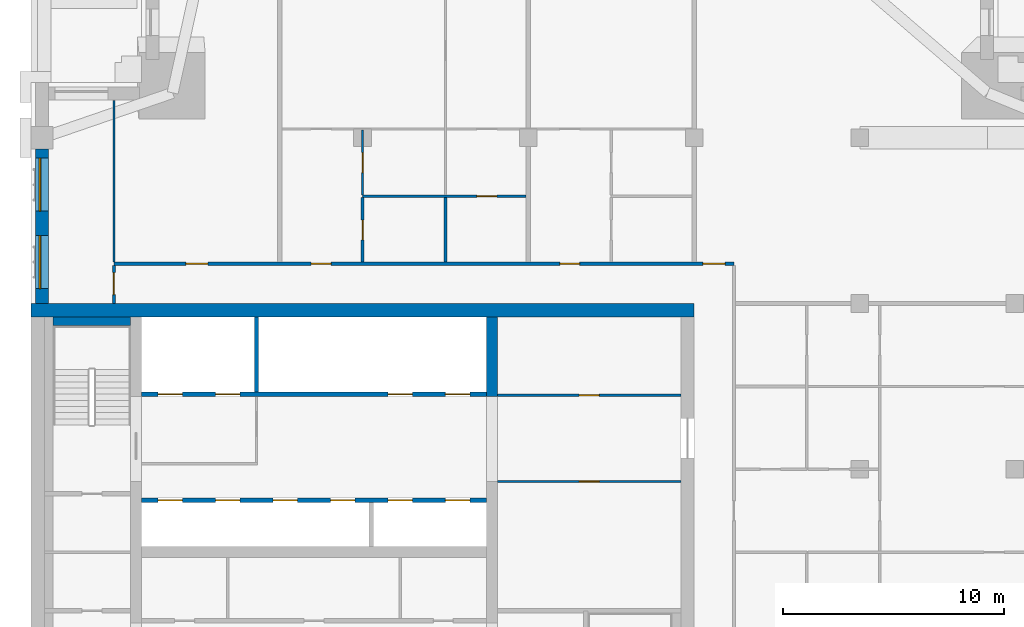
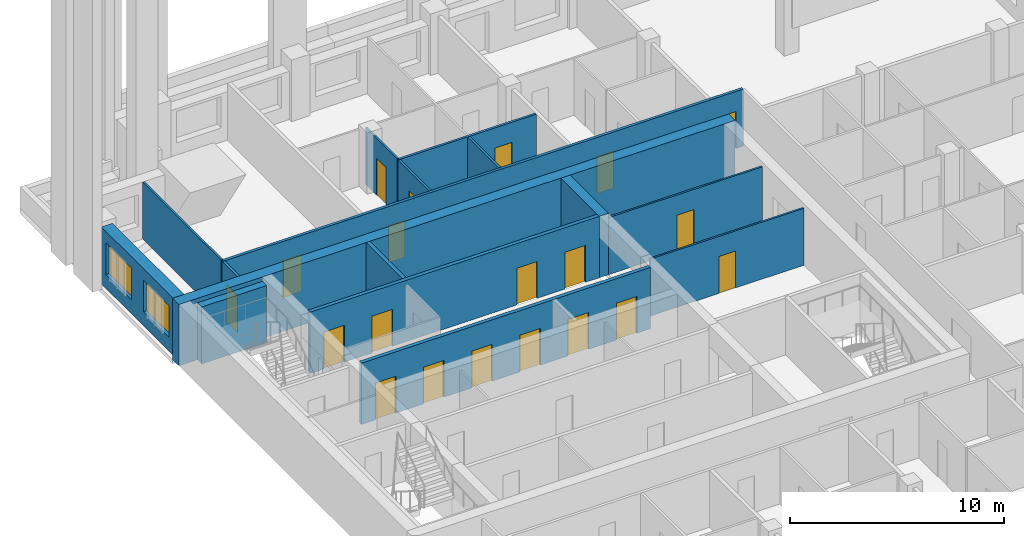
# One storey, part 6 of 12: 20 doors, 16 walls, 2 windows, 22 openings.
"""IFC4 building model written with IfcOpenShell, lengths in metres."""

from ifc_helpers import new_model, si_unit, direction, frame, frame_2d, origin, place, context, subcontext, project, spatial, rectangle, extrude, material, layer, layer_set, type_object, element, fill, save


model = new_model("IFC4")

# Units and contexts
model_context = context("Model", 3, precision=1e-05, world=origin(), true_north=direction((0.0, 1.0)))
body_context = subcontext(model_context, "Body", "Model", "MODEL_VIEW")
ifc_project = project(units=[si_unit("LENGTHUNIT", "METRE"), si_unit("AREAUNIT", "SQUARE_METRE"), si_unit("VOLUMEUNIT", "CUBIC_METRE"), si_unit("PLANEANGLEUNIT", "RADIAN"), si_unit("MASSUNIT", "GRAM", prefix="KILO")], contexts=[model_context])

# Site, building, storey
site_placement = place(None, origin())
site = spatial("IfcSite", under=ifc_project, at=site_placement, CompositionType="ELEMENT")
building_placement = place(site_placement, origin())
building = spatial("IfcBuilding", under=site, at=building_placement, Name="Tamorin Gate", CompositionType="ELEMENT")
storey_placement = place(building_placement, frame((0.0, 0.0, 219.699951171875)))
storey = spatial("IfcBuildingStorey", under=building, at=storey_placement, Name="L54", CompositionType="ELEMENT", Elevation=219.699951171875)

# Wall, openings, windows
ifc_material_1 = material(Name="Precast concrete C40/50", Category="concrete")
ifc_layer_1 = layer(ifc_material_1, 0.60009765625)
ifc_layer_set_1 = layer_set([ifc_layer_1], Name="Precast concrete C40/50")
wall_type_1 = type_object("IfcWallType", Name="Board-marked concrete facade panel 600", PredefinedType="SOLIDWALL", material=ifc_layer_set_1)
wall_1_placement = place(storey_placement, frame((30.5, 89.5, 0.0), z_axis=(0.0, 0.0, 1.0), x_axis=(0.0, -1.0, 0.0)))
wall_1 = element("IfcWall", 1, at=wall_1_placement, inside=storey, type_object=wall_type_1, Name="Facade panel", PredefinedType="SOLIDWALL", context=body_context, shape_type="SweptSolid", body=[
    extrude(rectangle(XDim=7.0, YDim=0.60009765625, at=frame_2d((3.5, 0.0))), origin(), (0.0, 0.0, 1.0), 3.25),
])
opening_1_placement = place(wall_1_placement, frame((3.925048828125, 0.0, 0.800048828125)))
opening_1 = element("IfcOpeningElement", 2, at=opening_1_placement, cuts=wall_1, Name="Opening WN1", PredefinedType="OPENING", context=body_context, shape_type="SweptSolid", body=[
    extrude(rectangle(XDim=2.39990234375, YDim=1.800048828125, at=frame_2d((1.199951171875, 0.89990234375))), frame((0.0, 0.31005859375, 0.0), z_axis=(0.0, -1.0, 0.0), x_axis=(1.0, 0.0, 0.0)), (0.0, 0.0, 1.0), 0.6201171875),
])
opening_2_placement = place(wall_1_placement, frame((0.425048828125, 0.0, 0.800048828125)))
opening_2 = element("IfcOpeningElement", 3, at=opening_2_placement, cuts=wall_1, Name="Opening WN1", PredefinedType="OPENING", context=body_context, shape_type="SweptSolid", body=[
    extrude(rectangle(XDim=2.39990234375, YDim=1.800048828125, at=frame_2d((1.199951171875, 0.89990234375))), frame((0.0, 0.31005859375, 0.0), z_axis=(0.0, -1.0, 0.0), x_axis=(1.0, 0.0, 0.0)), (0.0, 0.0, 1.0), 0.6201171875),
])
ifc_material_2 = material(Name="Clear glass in aluminium frame", Category="aluminium")
window_type = type_object("IfcWindowType", Name="Deep-set window 2400x1800", PartitioningType="SINGLE_PANEL", PredefinedType="WINDOW", material=ifc_material_2)
window_1_placement = place(opening_1_placement, origin())
window_1 = element("IfcWindow", 4, at=window_1_placement, inside=storey, type_object=window_type, Name="Deep-set window", OverallHeight=1.800048828125, OverallWidth=2.39990234375, PartitioningType="SINGLE_PANEL", PredefinedType="WINDOW", context=body_context, shape_type="SweptSolid", body=[
    extrude(rectangle(XDim=2.39990234375, YDim=1.800048828125, at=frame_2d((1.199951171875, 0.89990234375))), frame((0.0, -0.070068359375, 0.0), z_axis=(0.0, -1.0, 0.0), x_axis=(1.0, 0.0, 0.0)), (0.0, 0.0, 1.0), 0.06005859375),
])
fill(opening_1, window_1)
window_2_placement = place(opening_2_placement, origin())
window_2 = element("IfcWindow", 5, at=window_2_placement, inside=storey, type_object=window_type, Name="Deep-set window", OverallHeight=1.800048828125, OverallWidth=2.39990234375, PartitioningType="SINGLE_PANEL", PredefinedType="WINDOW", context=body_context, shape_type="SweptSolid", body=[
    extrude(rectangle(XDim=2.39990234375, YDim=1.800048828125, at=frame_2d((1.199951171875, 0.89990234375))), frame((0.0, -0.070068359375, 0.0), z_axis=(0.0, -1.0, 0.0), x_axis=(1.0, 0.0, 0.0)), (0.0, 0.0, 1.0), 0.06005859375),
])
fill(opening_2, window_2)

# Wall, openings, doors
ifc_material_3 = material(Name="Gypsum board partition")
ifc_layer_2 = layer(ifc_material_3, 0.14990234375)
ifc_layer_set_2 = layer_set([ifc_layer_2], Name="Corridor wall 150")
wall_type_2 = type_object("IfcWallType", Name="Corridor wall 150", PredefinedType="PARTITIONING", material=ifc_layer_set_2)
wall_2_placement = place(storey_placement, frame((33.75, 84.300048828125, 0.0), z_axis=(0.0, 0.0, 1.0), x_axis=(1.0, 0.0, 0.0)))
wall_2 = element("IfcWall", 6, at=wall_2_placement, inside=storey, type_object=wall_type_2, Name="Corridor wall 150", PredefinedType="PARTITIONING", context=body_context, shape_type="SweptSolid", body=[
    extrude(rectangle(XDim=28.050048828125, YDim=0.14990234375, at=frame_2d((14.02490234375, 0.0))), origin(), (0.0, 0.0, 1.0), 3.25),
])
opening_3_placement = place(wall_2_placement, frame((3.25, 0.0, 0.0)))
opening_3 = element("IfcOpeningElement", 7, at=opening_3_placement, cuts=wall_2, Name="Opening DTF5020", PredefinedType="OPENING", context=body_context, shape_type="SweptSolid", body=[
    extrude(rectangle(XDim=1.0, YDim=2.10009765625, at=frame_2d((0.5, 1.050048828125))), frame((0.0, 0.0849609375, 0.0), z_axis=(0.0, -1.0, 0.0), x_axis=(1.0, 0.0, 0.0)), (0.0, 0.0, 1.0), 0.169921875),
])
opening_4_placement = place(wall_2_placement, frame((8.925048828125, 0.0, 0.0)))
opening_4 = element("IfcOpeningElement", 8, at=opening_4_placement, cuts=wall_2, Name="Opening DTF5021", PredefinedType="OPENING", context=body_context, shape_type="SweptSolid", body=[
    extrude(rectangle(XDim=0.89990234375, YDim=2.10009765625, at=frame_2d((0.449951171875, 1.050048828125))), frame((0.0, 0.0849609375, 0.0), z_axis=(0.0, -1.0, 0.0), x_axis=(1.0, 0.0, 0.0)), (0.0, 0.0, 1.0), 0.169921875),
])
opening_5_placement = place(wall_2_placement, frame((20.175048828125, 0.0, 0.0)))
opening_5 = element("IfcOpeningElement", 9, at=opening_5_placement, cuts=wall_2, Name="Opening DTF5028", PredefinedType="OPENING", context=body_context, shape_type="SweptSolid", body=[
    extrude(rectangle(XDim=0.89990234375, YDim=2.10009765625, at=frame_2d((0.449951171875, 1.050048828125))), frame((0.0, 0.0849609375, 0.0), z_axis=(0.0, -1.0, 0.0), x_axis=(1.0, 0.0, 0.0)), (0.0, 0.0, 1.0), 0.169921875),
])
opening_6_placement = place(wall_2_placement, frame((26.64990234375, 0.0, 0.0)))
opening_6 = element("IfcOpeningElement", 10, at=opening_6_placement, cuts=wall_2, Name="Opening DTF5032", PredefinedType="OPENING", context=body_context, shape_type="SweptSolid", body=[
    extrude(rectangle(XDim=1.0, YDim=2.10009765625, at=frame_2d((0.5, 1.050048828125))), frame((0.0, 0.0849609375, 0.0), z_axis=(0.0, -1.0, 0.0), x_axis=(1.0, 0.0, 0.0)), (0.0, 0.0, 1.0), 0.169921875),
])
ifc_material_4 = material(Name="Timber door leaf", Category="wood")
door_type_1 = type_object("IfcDoorType", Name="Door 1000 x 2100 FD30S", OperationType="NOTDEFINED", PredefinedType="DOOR", material=ifc_material_4)
door_1_placement = place(opening_3_placement, origin())
door_1 = element("IfcDoor", 11, at=door_1_placement, inside=storey, type_object=door_type_1, Name="Door DTF5020", OperationType="SINGLE_SWING_LEFT", OverallHeight=2.10009765625, OverallWidth=1.0, PredefinedType="DOOR", context=body_context, shape_type="SweptSolid", body=[
    extrude(rectangle(XDim=1.0, YDim=2.10009765625, at=frame_2d((0.5, 1.050048828125))), frame((0.0, 0.02490234375, 0.0), z_axis=(0.0, -1.0, 0.0), x_axis=(1.0, 0.0, 0.0)), (0.0, 0.0, 1.0), 0.050048828125),
])
fill(opening_3, door_1)
door_2_placement = place(opening_6_placement, origin())
door_2 = element("IfcDoor", 12, at=door_2_placement, inside=storey, type_object=door_type_1, Name="Door DTF5032", OperationType="SINGLE_SWING_LEFT", OverallHeight=2.10009765625, OverallWidth=1.0, PredefinedType="DOOR", context=body_context, shape_type="SweptSolid", body=[
    extrude(rectangle(XDim=1.0, YDim=2.10009765625, at=frame_2d((0.5, 1.050048828125))), frame((0.0, 0.02490234375, 0.0), z_axis=(0.0, -1.0, 0.0), x_axis=(1.0, 0.0, 0.0)), (0.0, 0.0, 1.0), 0.050048828125),
])
fill(opening_6, door_2)
door_type_2 = type_object("IfcDoorType", Name="Door 900 x 2100 FD30S", OperationType="NOTDEFINED", PredefinedType="DOOR", material=ifc_material_4)
door_3_placement = place(opening_4_placement, origin())
door_3 = element("IfcDoor", 13, at=door_3_placement, inside=storey, type_object=door_type_2, Name="Door DTF5021", OperationType="SINGLE_SWING_LEFT", OverallHeight=2.10009765625, OverallWidth=0.89990234375, PredefinedType="DOOR", context=body_context, shape_type="SweptSolid", body=[
    extrude(rectangle(XDim=0.89990234375, YDim=2.10009765625, at=frame_2d((0.449951171875, 1.050048828125))), frame((0.0, 0.02490234375, 0.0), z_axis=(0.0, -1.0, 0.0), x_axis=(1.0, 0.0, 0.0)), (0.0, 0.0, 1.0), 0.050048828125),
])
fill(opening_4, door_3)
door_4_placement = place(opening_5_placement, origin())
door_4 = element("IfcDoor", 14, at=door_4_placement, inside=storey, type_object=door_type_2, Name="Door DTF5028", OperationType="SINGLE_SWING_LEFT", OverallHeight=2.10009765625, OverallWidth=0.89990234375, PredefinedType="DOOR", context=body_context, shape_type="SweptSolid", body=[
    extrude(rectangle(XDim=0.89990234375, YDim=2.10009765625, at=frame_2d((0.449951171875, 1.050048828125))), frame((0.0, 0.02490234375, 0.0), z_axis=(0.0, -1.0, 0.0), x_axis=(1.0, 0.0, 0.0)), (0.0, 0.0, 1.0), 0.050048828125),
])
fill(opening_5, door_4)

# Wall, opening, door
wall_3_placement = place(storey_placement, frame((33.75, 82.5, 0.0), z_axis=(0.0, 0.0, 1.0), x_axis=(0.0, 1.0, 0.0)))
wall_3 = element("IfcWall", 15, at=wall_3_placement, inside=storey, type_object=wall_type_2, Name="Corridor wall 150", PredefinedType="PARTITIONING", context=body_context, shape_type="SweptSolid", body=[
    extrude(rectangle(XDim=1.72509765625, YDim=0.14990234375, at=frame_2d((0.862548828125, 0.0))), origin(), (0.0, 0.0, 1.0), 3.25),
])
opening_7_placement = place(wall_3_placement, frame((0.39990234375, 0.0, 0.0)))
opening_7 = element("IfcOpeningElement", 16, at=opening_7_placement, cuts=wall_3, Name="Opening DTF5019", PredefinedType="OPENING", context=body_context, shape_type="SweptSolid", body=[
    extrude(rectangle(XDim=1.0, YDim=2.10009765625, at=frame_2d((0.5, 1.050048828125))), frame((0.0, 0.0849609375, 0.0), z_axis=(0.0, -1.0, 0.0), x_axis=(1.0, 0.0, 0.0)), (0.0, 0.0, 1.0), 0.169921875),
])
door_5_placement = place(opening_7_placement, origin())
door_5 = element("IfcDoor", 17, at=door_5_placement, inside=storey, type_object=door_type_1, Name="Door DTF5019", OperationType="SINGLE_SWING_LEFT", OverallHeight=2.10009765625, OverallWidth=1.0, PredefinedType="DOOR", context=body_context, shape_type="SweptSolid", body=[
    extrude(rectangle(XDim=1.0, YDim=2.10009765625, at=frame_2d((0.5, 1.050048828125))), frame((0.0, 0.02490234375, 0.0), z_axis=(0.0, -1.0, 0.0), x_axis=(1.0, 0.0, 0.0)), (0.0, 0.0, 1.0), 0.050048828125),
])
fill(opening_7, door_5)

# Wall, openings, doors
ifc_material_5 = material(Name="Concrete C32/40", Category="concrete")
ifc_layer_3 = layer(ifc_material_5, 0.199951171875)
ifc_layer_set_3 = layer_set([ifc_layer_3], Name="Lift lobby face wall 200 EI 120")
wall_type_3 = type_object("IfcWallType", Name="Lift lobby face wall 200 EI 120", PredefinedType="SOLIDWALL", material=ifc_layer_set_3)
wall_4_placement = place(storey_placement, frame((35.0, 73.60009765625, 0.0), z_axis=(0.0, 0.0, 1.0), x_axis=(1.0, 0.0, 0.0)))
wall_4 = element("IfcWall", 18, at=wall_4_placement, inside=storey, type_object=wall_type_3, Name="Lift lobby face wall", PredefinedType="SOLIDWALL", context=body_context, shape_type="SweptSolid", body=[
    extrude(rectangle(XDim=15.60009765625, YDim=0.199951171875, at=frame_2d((7.800048828125, 0.0))), origin(), (0.0, 0.0, 1.0), 3.5),
])
opening_8_placement = place(wall_4_placement, frame((0.75, 0.0, 0.0)))
opening_8 = element("IfcOpeningElement", 19, at=opening_8_placement, cuts=wall_4, Name="Opening LD11", PredefinedType="OPENING", context=body_context, shape_type="SweptSolid", body=[
    extrude(rectangle(XDim=1.10009765625, YDim=2.10009765625, at=frame_2d((0.550048828125, 1.050048828125))), frame((0.0, 0.10986328125, 0.0), z_axis=(0.0, -1.0, 0.0), x_axis=(1.0, 0.0, 0.0)), (0.0, 0.0, 1.0), 0.219970703125),
])
opening_9_placement = place(wall_4_placement, frame((3.35009765625, 0.0, 0.0)))
opening_9 = element("IfcOpeningElement", 20, at=opening_9_placement, cuts=wall_4, Name="Opening LD12", PredefinedType="OPENING", context=body_context, shape_type="SweptSolid", body=[
    extrude(rectangle(XDim=1.10009765625, YDim=2.10009765625, at=frame_2d((0.550048828125, 1.050048828125))), frame((0.0, 0.10986328125, 0.0), z_axis=(0.0, -1.0, 0.0), x_axis=(1.0, 0.0, 0.0)), (0.0, 0.0, 1.0), 0.219970703125),
])
opening_10_placement = place(wall_4_placement, frame((5.949951171875, 0.0, 0.0)))
opening_10 = element("IfcOpeningElement", 21, at=opening_10_placement, cuts=wall_4, Name="Opening LD13", PredefinedType="OPENING", context=body_context, shape_type="SweptSolid", body=[
    extrude(rectangle(XDim=1.10009765625, YDim=2.10009765625, at=frame_2d((0.550048828125, 1.050048828125))), frame((0.0, 0.10986328125, 0.0), z_axis=(0.0, -1.0, 0.0), x_axis=(1.0, 0.0, 0.0)), (0.0, 0.0, 1.0), 0.219970703125),
])
opening_11_placement = place(wall_4_placement, frame((8.550048828125, 0.0, 0.0)))
opening_11 = element("IfcOpeningElement", 22, at=opening_11_placement, cuts=wall_4, Name="Opening LD14", PredefinedType="OPENING", context=body_context, shape_type="SweptSolid", body=[
    extrude(rectangle(XDim=1.10009765625, YDim=2.10009765625, at=frame_2d((0.550048828125, 1.050048828125))), frame((0.0, 0.10986328125, 0.0), z_axis=(0.0, -1.0, 0.0), x_axis=(1.0, 0.0, 0.0)), (0.0, 0.0, 1.0), 0.219970703125),
])
opening_12_placement = place(wall_4_placement, frame((11.14990234375, 0.0, 0.0)))
opening_12 = element("IfcOpeningElement", 23, at=opening_12_placement, cuts=wall_4, Name="Opening LD15", PredefinedType="OPENING", context=body_context, shape_type="SweptSolid", body=[
    extrude(rectangle(XDim=1.10009765625, YDim=2.10009765625, at=frame_2d((0.550048828125, 1.050048828125))), frame((0.0, 0.10986328125, 0.0), z_axis=(0.0, -1.0, 0.0), x_axis=(1.0, 0.0, 0.0)), (0.0, 0.0, 1.0), 0.219970703125),
])
opening_13_placement = place(wall_4_placement, frame((13.75, 0.0, 0.0)))
opening_13 = element("IfcOpeningElement", 24, at=opening_13_placement, cuts=wall_4, Name="Opening LD16", PredefinedType="OPENING", context=body_context, shape_type="SweptSolid", body=[
    extrude(rectangle(XDim=1.10009765625, YDim=2.10009765625, at=frame_2d((0.550048828125, 1.050048828125))), frame((0.0, 0.10986328125, 0.0), z_axis=(0.0, -1.0, 0.0), x_axis=(1.0, 0.0, 0.0)), (0.0, 0.0, 1.0), 0.219970703125),
])
ifc_material_6 = material(Name="Stainless steel sliding door", Category="steel")
door_type_3 = type_object("IfcDoorType", Name="Lift landing door 1100 x 2100 E 90", OperationType="DOUBLE_DOOR_SLIDING", PredefinedType="DOOR", material=ifc_material_6)
door_6_placement = place(opening_8_placement, origin())
door_6 = element("IfcDoor", 25, at=door_6_placement, inside=storey, type_object=door_type_3, Name="HR1 landing door", OperationType="DOUBLE_DOOR_SLIDING", OverallHeight=2.10009765625, OverallWidth=1.10009765625, PredefinedType="DOOR", context=body_context, shape_type="SweptSolid", body=[
    extrude(rectangle(XDim=1.10009765625, YDim=2.10009765625, at=frame_2d((0.550048828125, 1.050048828125))), frame((0.0, 0.02490234375, 0.0), z_axis=(0.0, -1.0, 0.0), x_axis=(1.0, 0.0, 0.0)), (0.0, 0.0, 1.0), 0.050048828125),
])
fill(opening_8, door_6)
door_7_placement = place(opening_9_placement, origin())
door_7 = element("IfcDoor", 26, at=door_7_placement, inside=storey, type_object=door_type_3, Name="HR2 landing door", OperationType="DOUBLE_DOOR_SLIDING", OverallHeight=2.10009765625, OverallWidth=1.10009765625, PredefinedType="DOOR", context=body_context, shape_type="SweptSolid", body=[
    extrude(rectangle(XDim=1.10009765625, YDim=2.10009765625, at=frame_2d((0.550048828125, 1.050048828125))), frame((0.0, 0.02490234375, 0.0), z_axis=(0.0, -1.0, 0.0), x_axis=(1.0, 0.0, 0.0)), (0.0, 0.0, 1.0), 0.050048828125),
])
fill(opening_9, door_7)
door_8_placement = place(opening_10_placement, origin())
door_8 = element("IfcDoor", 27, at=door_8_placement, inside=storey, type_object=door_type_3, Name="HR3 landing door", OperationType="DOUBLE_DOOR_SLIDING", OverallHeight=2.10009765625, OverallWidth=1.10009765625, PredefinedType="DOOR", context=body_context, shape_type="SweptSolid", body=[
    extrude(rectangle(XDim=1.10009765625, YDim=2.10009765625, at=frame_2d((0.550048828125, 1.050048828125))), frame((0.0, 0.02490234375, 0.0), z_axis=(0.0, -1.0, 0.0), x_axis=(1.0, 0.0, 0.0)), (0.0, 0.0, 1.0), 0.050048828125),
])
fill(opening_10, door_8)
door_9_placement = place(opening_11_placement, origin())
door_9 = element("IfcDoor", 28, at=door_9_placement, inside=storey, type_object=door_type_3, Name="HR4 landing door", OperationType="DOUBLE_DOOR_SLIDING", OverallHeight=2.10009765625, OverallWidth=1.10009765625, PredefinedType="DOOR", context=body_context, shape_type="SweptSolid", body=[
    extrude(rectangle(XDim=1.10009765625, YDim=2.10009765625, at=frame_2d((0.550048828125, 1.050048828125))), frame((0.0, 0.02490234375, 0.0), z_axis=(0.0, -1.0, 0.0), x_axis=(1.0, 0.0, 0.0)), (0.0, 0.0, 1.0), 0.050048828125),
])
fill(opening_11, door_9)
door_10_placement = place(opening_12_placement, origin())
door_10 = element("IfcDoor", 29, at=door_10_placement, inside=storey, type_object=door_type_3, Name="HR5 landing door", OperationType="DOUBLE_DOOR_SLIDING", OverallHeight=2.10009765625, OverallWidth=1.10009765625, PredefinedType="DOOR", context=body_context, shape_type="SweptSolid", body=[
    extrude(rectangle(XDim=1.10009765625, YDim=2.10009765625, at=frame_2d((0.550048828125, 1.050048828125))), frame((0.0, 0.02490234375, 0.0), z_axis=(0.0, -1.0, 0.0), x_axis=(1.0, 0.0, 0.0)), (0.0, 0.0, 1.0), 0.050048828125),
])
fill(opening_12, door_10)
door_11_placement = place(opening_13_placement, origin())
door_11 = element("IfcDoor", 30, at=door_11_placement, inside=storey, type_object=door_type_3, Name="HR6 landing door", OperationType="DOUBLE_DOOR_SLIDING", OverallHeight=2.10009765625, OverallWidth=1.10009765625, PredefinedType="DOOR", context=body_context, shape_type="SweptSolid", body=[
    extrude(rectangle(XDim=1.10009765625, YDim=2.10009765625, at=frame_2d((0.550048828125, 1.050048828125))), frame((0.0, 0.02490234375, 0.0), z_axis=(0.0, -1.0, 0.0), x_axis=(1.0, 0.0, 0.0)), (0.0, 0.0, 1.0), 0.050048828125),
])
fill(opening_13, door_11)

wall_5_placement = place(storey_placement, frame((35.0, 78.39990234375, 0.0), z_axis=(0.0, 0.0, 1.0), x_axis=(1.0, 0.0, 0.0)))
wall_5 = element("IfcWall", 31, at=wall_5_placement, inside=storey, type_object=wall_type_3, Name="Lift lobby face wall", PredefinedType="SOLIDWALL", context=body_context, shape_type="SweptSolid", body=[
    extrude(rectangle(XDim=15.60009765625, YDim=0.199951171875, at=frame_2d((7.800048828125, 0.0))), origin(), (0.0, 0.0, 1.0), 3.5),
])
opening_14_placement = place(wall_5_placement, frame((0.75, 0.0, 0.0)))
opening_14 = element("IfcOpeningElement", 32, at=opening_14_placement, cuts=wall_5, Name="Opening LD17", PredefinedType="OPENING", context=body_context, shape_type="SweptSolid", body=[
    extrude(rectangle(XDim=1.10009765625, YDim=2.10009765625, at=frame_2d((0.550048828125, 1.050048828125))), frame((0.0, 0.10986328125, 0.0), z_axis=(0.0, -1.0, 0.0), x_axis=(1.0, 0.0, 0.0)), (0.0, 0.0, 1.0), 0.219970703125),
])
opening_15_placement = place(wall_5_placement, frame((3.35009765625, 0.0, 0.0)))
opening_15 = element("IfcOpeningElement", 33, at=opening_15_placement, cuts=wall_5, Name="Opening LD18", PredefinedType="OPENING", context=body_context, shape_type="SweptSolid", body=[
    extrude(rectangle(XDim=1.10009765625, YDim=2.10009765625, at=frame_2d((0.550048828125, 1.050048828125))), frame((0.0, 0.10986328125, 0.0), z_axis=(0.0, -1.0, 0.0), x_axis=(1.0, 0.0, 0.0)), (0.0, 0.0, 1.0), 0.219970703125),
])
opening_16_placement = place(wall_5_placement, frame((11.14990234375, 0.0, 0.0)))
opening_16 = element("IfcOpeningElement", 34, at=opening_16_placement, cuts=wall_5, Name="Opening LD21", PredefinedType="OPENING", context=body_context, shape_type="SweptSolid", body=[
    extrude(rectangle(XDim=1.10009765625, YDim=2.10009765625, at=frame_2d((0.550048828125, 1.050048828125))), frame((0.0, 0.10986328125, 0.0), z_axis=(0.0, -1.0, 0.0), x_axis=(1.0, 0.0, 0.0)), (0.0, 0.0, 1.0), 0.219970703125),
])
opening_17_placement = place(wall_5_placement, frame((13.75, 0.0, 0.0)))
opening_17 = element("IfcOpeningElement", 35, at=opening_17_placement, cuts=wall_5, Name="Opening LD22", PredefinedType="OPENING", context=body_context, shape_type="SweptSolid", body=[
    extrude(rectangle(XDim=1.10009765625, YDim=2.10009765625, at=frame_2d((0.550048828125, 1.050048828125))), frame((0.0, 0.10986328125, 0.0), z_axis=(0.0, -1.0, 0.0), x_axis=(1.0, 0.0, 0.0)), (0.0, 0.0, 1.0), 0.219970703125),
])
door_12_placement = place(opening_14_placement, origin())
door_12 = element("IfcDoor", 36, at=door_12_placement, inside=storey, type_object=door_type_3, Name="FF1 landing door", OperationType="DOUBLE_DOOR_SLIDING", OverallHeight=2.10009765625, OverallWidth=1.10009765625, PredefinedType="DOOR", context=body_context, shape_type="SweptSolid", body=[
    extrude(rectangle(XDim=1.10009765625, YDim=2.10009765625, at=frame_2d((0.550048828125, 1.050048828125))), frame((0.0, 0.02490234375, 0.0), z_axis=(0.0, -1.0, 0.0), x_axis=(1.0, 0.0, 0.0)), (0.0, 0.0, 1.0), 0.050048828125),
])
fill(opening_14, door_12)
door_13_placement = place(opening_15_placement, origin())
door_13 = element("IfcDoor", 37, at=door_13_placement, inside=storey, type_object=door_type_3, Name="FF2 landing door", OperationType="DOUBLE_DOOR_SLIDING", OverallHeight=2.10009765625, OverallWidth=1.10009765625, PredefinedType="DOOR", context=body_context, shape_type="SweptSolid", body=[
    extrude(rectangle(XDim=1.10009765625, YDim=2.10009765625, at=frame_2d((0.550048828125, 1.050048828125))), frame((0.0, 0.02490234375, 0.0), z_axis=(0.0, -1.0, 0.0), x_axis=(1.0, 0.0, 0.0)), (0.0, 0.0, 1.0), 0.050048828125),
])
fill(opening_15, door_13)
door_14_placement = place(opening_16_placement, origin())
door_14 = element("IfcDoor", 38, at=door_14_placement, inside=storey, type_object=door_type_3, Name="SV1 landing door", OperationType="DOUBLE_DOOR_SLIDING", OverallHeight=2.10009765625, OverallWidth=1.10009765625, PredefinedType="DOOR", context=body_context, shape_type="SweptSolid", body=[
    extrude(rectangle(XDim=1.10009765625, YDim=2.10009765625, at=frame_2d((0.550048828125, 1.050048828125))), frame((0.0, 0.02490234375, 0.0), z_axis=(0.0, -1.0, 0.0), x_axis=(1.0, 0.0, 0.0)), (0.0, 0.0, 1.0), 0.050048828125),
])
fill(opening_16, door_14)
door_15_placement = place(opening_17_placement, origin())
door_15 = element("IfcDoor", 39, at=door_15_placement, inside=storey, type_object=door_type_3, Name="SV2 landing door", OperationType="DOUBLE_DOOR_SLIDING", OverallHeight=2.10009765625, OverallWidth=1.10009765625, PredefinedType="DOOR", context=body_context, shape_type="SweptSolid", body=[
    extrude(rectangle(XDim=1.10009765625, YDim=2.10009765625, at=frame_2d((0.550048828125, 1.050048828125))), frame((0.0, 0.02490234375, 0.0), z_axis=(0.0, -1.0, 0.0), x_axis=(1.0, 0.0, 0.0)), (0.0, 0.0, 1.0), 0.050048828125),
])
fill(opening_17, door_15)

# Walls
ifc_layer_4 = layer(ifc_material_5, 0.199951171875)
ifc_layer_set_4 = layer_set([ifc_layer_4], Name="Lift shaft wall 200 EI 120")
wall_type_4 = type_object("IfcWallType", Name="Lift shaft wall 200 EI 120", PredefinedType="SOLIDWALL", material=ifc_layer_set_4)
wall_6_placement = place(storey_placement, frame((40.199951171875, 78.5, 0.0), z_axis=(0.0, 0.0, 1.0), x_axis=(0.0, 1.0, 0.0)))
element("IfcWall", 40, at=wall_6_placement, inside=storey, type_object=wall_type_4, Name="Lift shaft wall", PredefinedType="SOLIDWALL", context=body_context, shape_type="SweptSolid", body=[
    extrude(rectangle(XDim=3.39990234375, YDim=0.199951171875, at=frame_2d((1.699951171875, 0.0))), origin(), (0.0, 0.0, 1.0), 3.5),
])
ifc_material_7 = material(Name="Concrete C50/60", Category="concrete")
ifc_layer_5 = layer(ifc_material_7, 0.5)
ifc_layer_set_5 = layer_set([ifc_layer_5], Name="RC core internal wall 500 C50/60")
wall_type_5 = type_object("IfcWallType", Name="RC core internal wall 500 C50/60", PredefinedType="SHEAR", material=ifc_layer_set_5)
wall_7_placement = place(storey_placement, frame((50.85009765625, 78.300048828125, 0.0), z_axis=(0.0, 0.0, 1.0), x_axis=(0.0, 1.0, 0.0)))
element("IfcWall", 41, at=wall_7_placement, inside=storey, type_object=wall_type_5, Name="Core cross wall L54", PredefinedType="SHEAR", context=body_context, shape_type="SweptSolid", body=[
    extrude(rectangle(XDim=3.599853515625, YDim=0.5, at=frame_2d((1.7998046875, 0.0))), origin(), (0.0, 0.0, 1.0), 3.5),
])
ifc_layer_6 = layer(ifc_material_7, 0.60009765625)
ifc_layer_set_6 = layer_set([ifc_layer_6], Name="RC core wall 600 C50/60")
wall_type_6 = type_object("IfcWallType", Name="RC core wall 600 C50/60", PredefinedType="SHEAR", material=ifc_layer_set_6)
wall_8_placement = place(storey_placement, frame((30.0, 82.199951171875, 0.0), z_axis=(0.0, 0.0, 1.0), x_axis=(1.0, 0.0, 0.0)))
element("IfcWall", 42, at=wall_8_placement, inside=storey, type_object=wall_type_6, Name="Core wall L54", PredefinedType="SHEAR", context=body_context, shape_type="SweptSolid", body=[
    extrude(rectangle(XDim=30.0, YDim=0.60009765625, at=frame_2d((15.0, 0.0))), origin(), (0.0, 0.0, 1.0), 3.5),
])
ifc_layer_7 = layer(ifc_material_3, 0.10009765625)
ifc_layer_set_7 = layer_set([ifc_layer_7], Name="Room partition 100")
wall_type_7 = type_object("IfcWallType", Name="Room partition 100", PredefinedType="PARTITIONING", material=ifc_layer_set_7)
wall_9_placement = place(storey_placement, frame((33.75, 84.375, 0.0), z_axis=(0.0, 0.0, 1.0), x_axis=(0.0, 1.0, 0.0)))
element("IfcWall", 43, at=wall_9_placement, inside=storey, type_object=wall_type_7, Name="Room partition 100", PredefinedType="PARTITIONING", context=body_context, shape_type="SweptSolid", body=[
    extrude(rectangle(XDim=7.31494140625, YDim=0.10009765625, at=frame_2d((3.657470703125, 0.0))), origin(), (0.0, 0.0, 1.0), 3.25),
])

# Wall, opening, door
wall_10_placement = place(storey_placement, frame((45.0, 87.41259765625, 0.0), z_axis=(0.0, 0.0, 1.0), x_axis=(0.0, 1.0, 0.0)))
wall_10 = element("IfcWall", 44, at=wall_10_placement, inside=storey, type_object=wall_type_7, Name="Room partition 100", PredefinedType="PARTITIONING", context=body_context, shape_type="SweptSolid", body=[
    extrude(rectangle(XDim=2.9375, YDim=0.10009765625, at=frame_2d((1.46875, 0.0))), origin(), (0.0, 0.0, 1.0), 3.25),
])
opening_18_placement = place(wall_10_placement, frame((1.012451171875, 0.0, 0.0)))
opening_18 = element("IfcOpeningElement", 45, at=opening_18_placement, cuts=wall_10, Name="Opening DTF5023", PredefinedType="OPENING", context=body_context, shape_type="SweptSolid", body=[
    extrude(rectangle(XDim=0.89990234375, YDim=2.10009765625, at=frame_2d((0.449951171875, 1.050048828125))), frame((0.0, 0.06005859375, 0.0), z_axis=(0.0, -1.0, 0.0), x_axis=(1.0, 0.0, 0.0)), (0.0, 0.0, 1.0), 0.1201171875),
])
door_type_4 = type_object("IfcDoorType", Name="Door 900 x 2100", OperationType="NOTDEFINED", PredefinedType="DOOR", material=ifc_material_4)
door_16_placement = place(opening_18_placement, origin())
door_16 = element("IfcDoor", 46, at=door_16_placement, inside=storey, type_object=door_type_4, Name="Door DTF5023", OperationType="SINGLE_SWING_RIGHT", OverallHeight=2.10009765625, OverallWidth=0.89990234375, PredefinedType="DOOR", context=body_context, shape_type="SweptSolid", body=[
    extrude(rectangle(XDim=0.89990234375, YDim=2.10009765625, at=frame_2d((0.449951171875, 1.050048828125))), frame((0.0, 0.02490234375, 0.0), z_axis=(0.0, -1.0, 0.0), x_axis=(1.0, 0.0, 0.0)), (0.0, 0.0, 1.0), 0.050048828125),
])
fill(opening_18, door_16)

ifc_layer_8 = layer(ifc_material_3, 0.10009765625)
ifc_layer_set_8 = layer_set([ifc_layer_8], Name="Service room partition 100 EI 60")
wall_type_8 = type_object("IfcWallType", Name="Service room partition 100 EI 60", PredefinedType="PARTITIONING", material=ifc_layer_set_8)
wall_11_placement = place(storey_placement, frame((51.10009765625, 74.449951171875, 0.0), z_axis=(0.0, 0.0, 1.0), x_axis=(1.0, 0.0, 0.0)))
wall_11 = element("IfcWall", 47, at=wall_11_placement, inside=storey, type_object=wall_type_8, Name="Service room wall", PredefinedType="PARTITIONING", context=body_context, shape_type="SweptSolid", body=[
    extrude(rectangle(XDim=8.2998046875, YDim=0.10009765625, at=frame_2d((4.14990234375, 0.0))), origin(), (0.0, 0.0, 1.0), 3.25),
])
opening_19_placement = place(wall_11_placement, frame((3.699951171875, 0.0, 0.0)))
opening_19 = element("IfcOpeningElement", 48, at=opening_19_placement, cuts=wall_11, Name="Opening DR1", PredefinedType="OPENING", context=body_context, shape_type="SweptSolid", body=[
    extrude(rectangle(XDim=0.89990234375, YDim=2.10009765625, at=frame_2d((0.449951171875, 1.050048828125))), frame((0.0, 0.06005859375, 0.0), z_axis=(0.0, -1.0, 0.0), x_axis=(1.0, 0.0, 0.0)), (0.0, 0.0, 1.0), 0.1201171875),
])
ifc_material_8 = material(Name="Steel fire door", Category="steel")
door_type_5 = type_object("IfcDoorType", Name="Riser access door 900 x 2100 EI 120", OperationType="SINGLE_SWING_LEFT", PredefinedType="DOOR", material=ifc_material_8)
door_17_placement = place(opening_19_placement, origin())
door_17 = element("IfcDoor", 49, at=door_17_placement, inside=storey, type_object=door_type_5, Name="Duct riser door", OperationType="SINGLE_SWING_RIGHT", OverallHeight=2.10009765625, OverallWidth=0.89990234375, PredefinedType="DOOR", context=body_context, shape_type="SweptSolid", body=[
    extrude(rectangle(XDim=0.89990234375, YDim=2.10009765625, at=frame_2d((0.449951171875, 1.050048828125))), frame((0.0, 0.02490234375, 0.0), z_axis=(0.0, -1.0, 0.0), x_axis=(1.0, 0.0, 0.0)), (0.0, 0.0, 1.0), 0.050048828125),
])
fill(opening_19, door_17)

wall_12_placement = place(storey_placement, frame((51.10009765625, 78.35009765625, 0.0), z_axis=(0.0, 0.0, 1.0), x_axis=(1.0, 0.0, 0.0)))
wall_12 = element("IfcWall", 50, at=wall_12_placement, inside=storey, type_object=wall_type_8, Name="Service room wall", PredefinedType="PARTITIONING", context=body_context, shape_type="SweptSolid", body=[
    extrude(rectangle(XDim=8.2998046875, YDim=0.10009765625, at=frame_2d((4.14990234375, 0.0))), origin(), (0.0, 0.0, 1.0), 3.25),
])
opening_20_placement = place(wall_12_placement, frame((3.699951171875, 0.0, 0.0)))
opening_20 = element("IfcOpeningElement", 51, at=opening_20_placement, cuts=wall_12, Name="Opening DK1", PredefinedType="OPENING", context=body_context, shape_type="SweptSolid", body=[
    extrude(rectangle(XDim=0.89990234375, YDim=2.10009765625, at=frame_2d((0.449951171875, 1.050048828125))), frame((0.0, 0.06005859375, 0.0), z_axis=(0.0, -1.0, 0.0), x_axis=(1.0, 0.0, 0.0)), (0.0, 0.0, 1.0), 0.1201171875),
])
ifc_material_9 = material(Name="Timber fire door", Category="wood")
door_type_6 = type_object("IfcDoorType", Name="Service room door 900 x 2100 EI 60", OperationType="SINGLE_SWING_LEFT", PredefinedType="DOOR", material=ifc_material_9)
door_18_placement = place(opening_20_placement, origin())
door_18 = element("IfcDoor", 52, at=door_18_placement, inside=storey, type_object=door_type_6, Name="Door Pantry", OperationType="SINGLE_SWING_RIGHT", OverallHeight=2.10009765625, OverallWidth=0.89990234375, PredefinedType="DOOR", context=body_context, shape_type="SweptSolid", body=[
    extrude(rectangle(XDim=0.89990234375, YDim=2.10009765625, at=frame_2d((0.449951171875, 1.050048828125))), frame((0.0, 0.02490234375, 0.0), z_axis=(0.0, -1.0, 0.0), x_axis=(1.0, 0.0, 0.0)), (0.0, 0.0, 1.0), 0.050048828125),
])
fill(opening_20, door_18)

# Wall
ifc_layer_9 = layer(ifc_material_7, 0.39990234375)
ifc_layer_set_9 = layer_set([ifc_layer_9], Name="Stair lining wall 400 EI 120 C50/60")
wall_type_9 = type_object("IfcWallType", Name="Stair lining wall 400 EI 120 C50/60", PredefinedType="SOLIDWALL", material=ifc_layer_set_9)
wall_13_placement = place(storey_placement, frame((31.0, 81.699951171875, 0.0), z_axis=(0.0, 0.0, 1.0), x_axis=(1.0, 0.0, 0.0)))
element("IfcWall", 53, at=wall_13_placement, inside=storey, type_object=wall_type_9, Name="Stair lining wall", PredefinedType="SOLIDWALL", context=body_context, shape_type="SweptSolid", body=[
    extrude(rectangle(XDim=3.5, YDim=0.39990234375, at=frame_2d((1.75, 0.0))), origin(), (0.0, 0.0, 1.0), 3.25),
])

# Wall, opening, door
ifc_layer_10 = layer(ifc_material_3, 0.125)
ifc_layer_set_10 = layer_set([ifc_layer_10], Name="Wet wall 125")
wall_type_10 = type_object("IfcWallType", Name="Wet wall 125", PredefinedType="PARTITIONING", material=ifc_layer_set_10)
wall_14_placement = place(storey_placement, frame((45.0, 87.35009765625, 0.0), z_axis=(0.0, 0.0, 1.0), x_axis=(1.0, 0.0, 0.0)))
wall_14 = element("IfcWall", 54, at=wall_14_placement, inside=storey, type_object=wall_type_10, Name="Wet wall 125", PredefinedType="PARTITIONING", context=body_context, shape_type="SweptSolid", body=[
    extrude(rectangle(XDim=7.39990234375, YDim=0.125, at=frame_2d((3.699951171875, 0.0))), origin(), (0.0, 0.0, 1.0), 3.25),
])
opening_21_placement = place(wall_14_placement, frame((5.175048828125, 0.0, 0.0)))
opening_21 = element("IfcOpeningElement", 55, at=opening_21_placement, cuts=wall_14, Name="Opening DTF5026", PredefinedType="OPENING", context=body_context, shape_type="SweptSolid", body=[
    extrude(rectangle(XDim=0.89990234375, YDim=2.10009765625, at=frame_2d((0.449951171875, 1.050048828125))), frame((0.0, 0.072509765625, 0.0), z_axis=(0.0, -1.0, 0.0), x_axis=(1.0, 0.0, 0.0)), (0.0, 0.0, 1.0), 0.14501953125),
])
door_19_placement = place(opening_21_placement, origin())
door_19 = element("IfcDoor", 56, at=door_19_placement, inside=storey, type_object=door_type_4, Name="Door DTF5026", OperationType="SINGLE_SWING_RIGHT", OverallHeight=2.10009765625, OverallWidth=0.89990234375, PredefinedType="DOOR", context=body_context, shape_type="SweptSolid", body=[
    extrude(rectangle(XDim=0.89990234375, YDim=2.10009765625, at=frame_2d((0.449951171875, 1.050048828125))), frame((0.0, 0.02490234375, 0.0), z_axis=(0.0, -1.0, 0.0), x_axis=(1.0, 0.0, 0.0)), (0.0, 0.0, 1.0), 0.050048828125),
])
fill(opening_21, door_19)

wall_15_placement = place(storey_placement, frame((45.0, 84.375, 0.0), z_axis=(0.0, 0.0, 1.0), x_axis=(0.0, 1.0, 0.0)))
wall_15 = element("IfcWall", 57, at=wall_15_placement, inside=storey, type_object=wall_type_10, Name="Wet wall 125", PredefinedType="PARTITIONING", context=body_context, shape_type="SweptSolid", body=[
    extrude(rectangle(XDim=2.91259765625, YDim=0.125, at=frame_2d((1.456298828125, 0.0))), origin(), (0.0, 0.0, 1.0), 3.25),
])
opening_22_placement = place(wall_15_placement, frame((1.0, 0.0, 0.0)))
opening_22 = element("IfcOpeningElement", 58, at=opening_22_placement, cuts=wall_15, Name="Opening DTF5024", PredefinedType="OPENING", context=body_context, shape_type="SweptSolid", body=[
    extrude(rectangle(XDim=0.89990234375, YDim=2.10009765625, at=frame_2d((0.449951171875, 1.050048828125))), frame((0.0, 0.072509765625, 0.0), z_axis=(0.0, -1.0, 0.0), x_axis=(1.0, 0.0, 0.0)), (0.0, 0.0, 1.0), 0.14501953125),
])
door_20_placement = place(opening_22_placement, origin())
door_20 = element("IfcDoor", 59, at=door_20_placement, inside=storey, type_object=door_type_4, Name="Door DTF5024", OperationType="SINGLE_SWING_LEFT", OverallHeight=2.10009765625, OverallWidth=0.89990234375, PredefinedType="DOOR", context=body_context, shape_type="SweptSolid", body=[
    extrude(rectangle(XDim=0.89990234375, YDim=2.10009765625, at=frame_2d((0.449951171875, 1.050048828125))), frame((0.0, 0.02490234375, 0.0), z_axis=(0.0, -1.0, 0.0), x_axis=(1.0, 0.0, 0.0)), (0.0, 0.0, 1.0), 0.050048828125),
])
fill(opening_22, door_20)

# Wall
wall_16_placement = place(storey_placement, frame((48.75, 84.375, 0.0), z_axis=(0.0, 0.0, 1.0), x_axis=(0.0, 1.0, 0.0)))
element("IfcWall", 60, at=wall_16_placement, inside=storey, type_object=wall_type_10, Name="Wet wall 125", PredefinedType="PARTITIONING", context=body_context, shape_type="SweptSolid", body=[
    extrude(rectangle(XDim=2.91259765625, YDim=0.125, at=frame_2d((1.456298828125, 0.0))), origin(), (0.0, 0.0, 1.0), 3.25),
])

save(model, "model.ifc")
